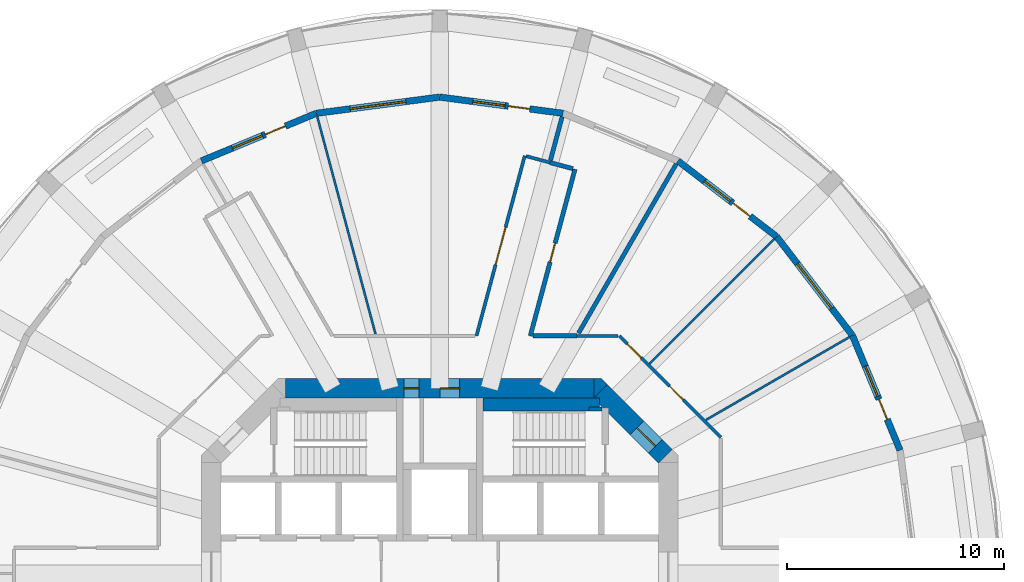
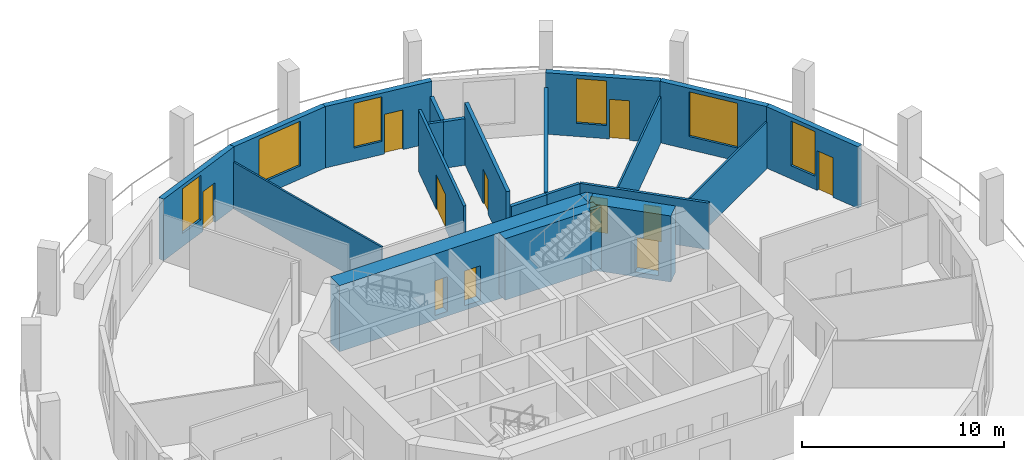
# One storey, part 6 of 9: 23 walls, 11 doors, 6 windows, 17 openings.
"""IFC4 building model written with IfcOpenShell, lengths in metres."""

from ifc_helpers import new_model, si_unit, direction, frame, frame_2d, origin, place, context, subcontext, project, spatial, polyline, rectangle, outline, extrude, material, layer, layer_set, type_object, element, fill, save


model = new_model("IFC4")

# Units and contexts
model_context = context("Model", 3, precision=1e-05, world=origin(), true_north=direction((0.0, 1.0)))
body_context = subcontext(model_context, "Body", "Model", "MODEL_VIEW")
ifc_project = project(units=[si_unit("LENGTHUNIT", "METRE"), si_unit("AREAUNIT", "SQUARE_METRE"), si_unit("VOLUMEUNIT", "CUBIC_METRE"), si_unit("PLANEANGLEUNIT", "RADIAN"), si_unit("MASSUNIT", "GRAM", prefix="KILO")], contexts=[model_context])

# Site, building, storey
site_placement = place(None, origin())
site = spatial("IfcSite", under=ifc_project, at=site_placement, CompositionType="ELEMENT")
building_placement = place(site_placement, origin())
building = spatial("IfcBuilding", under=site, at=building_placement, Name="Torre Triforio", CompositionType="ELEMENT")
storey_placement = place(building_placement, frame((0.0, 0.0, 106.60009765625)))
storey = spatial("IfcBuildingStorey", under=building, at=storey_placement, Name="L23", CompositionType="ELEMENT", Elevation=106.60009765625)

# Wall, openings, doors
ifc_material_1 = material(Name="Concrete C60", Category="concrete")
ifc_layer_1 = layer(ifc_material_1, 0.89990234375)
ifc_layer_set_1 = layer_set([ifc_layer_1], Name="Concrete C60")
wall_type_1 = type_object("IfcWallType", Name="Core wall 900 mm C60 EI 120", PredefinedType="SHEAR", material=ifc_layer_set_1)
wall_1_placement = place(storey_placement, frame((-7.1298828125, 8.550048828125, -0.280029296875), z_axis=(0.0, 0.0, 1.0), x_axis=(1.0, 0.0, 0.0)))
wall_1 = element("IfcWall", 1, at=wall_1_placement, inside=storey, type_object=wall_type_1, Name="Core wall", PredefinedType="SHEAR", context=body_context, shape_type="SweptSolid", body=[
    extrude(rectangle(XDim=14.259765625, YDim=0.89990234375, at=frame_2d((7.1298828125, 0.0))), origin(), (0.0, 0.0, 1.0), 4.0),
])
opening_1_placement = place(wall_1_placement, frame((5.47998046875, 0.0, 0.280029296875)))
opening_1 = element("IfcOpeningElement", 2, at=opening_1_placement, cuts=wall_1, Name="Opening RISER-N", PredefinedType="OPENING", context=body_context, shape_type="SweptSolid", body=[
    extrude(rectangle(XDim=0.699951171875, YDim=2.10009765625, at=frame_2d((0.35009765625, 1.050048828125))), frame((0.0, 0.4599609375, 0.0), z_axis=(0.0, -1.0, 0.0), x_axis=(1.0, 0.0, 0.0)), (0.0, 0.0, 1.0), 0.919921875),
])
opening_2_placement = place(wall_1_placement, frame((7.155029296875, 0.0, 0.280029296875)))
opening_2 = element("IfcOpeningElement", 3, at=opening_2_placement, cuts=wall_1, Name="Opening NE-01", PredefinedType="OPENING", context=body_context, shape_type="SweptSolid", body=[
    extrude(rectangle(XDim=0.89990234375, YDim=2.10009765625, at=frame_2d((0.449951171875, 1.050048828125))), frame((0.0, 0.4599609375, 0.0), z_axis=(0.0, -1.0, 0.0), x_axis=(1.0, 0.0, 0.0)), (0.0, 0.0, 1.0), 0.919921875),
])
ifc_material_2 = material(Name="Hollow metal fire door leaf")
door_type_1 = type_object("IfcDoorType", Name="Riser door 700 x 2100 EI 60", OperationType="NOTDEFINED", PredefinedType="DOOR", material=ifc_material_2)
door_1_placement = place(opening_1_placement, origin())
door_1 = element("IfcDoor", 4, at=door_1_placement, inside=storey, type_object=door_type_1, Name="Core door RISER-N", OperationType="SINGLE_SWING_LEFT", OverallHeight=2.10009765625, OverallWidth=0.699951171875, PredefinedType="DOOR", context=body_context, shape_type="SweptSolid", body=[
    extrude(rectangle(XDim=0.699951171875, YDim=2.10009765625, at=frame_2d((0.35009765625, 1.050048828125))), frame((0.0, 0.02490234375, 0.0), z_axis=(0.0, -1.0, 0.0), x_axis=(1.0, 0.0, 0.0)), (0.0, 0.0, 1.0), 0.050048828125),
])
fill(opening_1, door_1)
door_type_2 = type_object("IfcDoorType", Name="Room door 900 x 2100 EI 60", OperationType="NOTDEFINED", PredefinedType="DOOR", material=ifc_material_2)
door_2_placement = place(opening_2_placement, origin())
door_2 = element("IfcDoor", 5, at=door_2_placement, inside=storey, type_object=door_type_2, Name="Core door NE-01", OperationType="SINGLE_SWING_RIGHT", OverallHeight=2.10009765625, OverallWidth=0.89990234375, PredefinedType="DOOR", context=body_context, shape_type="SweptSolid", body=[
    extrude(rectangle(XDim=0.89990234375, YDim=2.10009765625, at=frame_2d((0.449951171875, 1.050048828125))), frame((0.0, 0.02490234375, 0.0), z_axis=(0.0, -1.0, 0.0), x_axis=(1.0, 0.0, 0.0)), (0.0, 0.0, 1.0), 0.050048828125),
])
fill(opening_2, door_2)

# Wall, opening, door
wall_2_placement = place(storey_placement, frame((7.418212890625, 8.418212890625, -0.280029296875), z_axis=(0.0, 0.0, 1.0), x_axis=(0.707106781187, -0.707106781187, 0.0)))
wall_2 = element("IfcWall", 6, at=wall_2_placement, inside=storey, type_object=wall_type_1, Name="Core wall", PredefinedType="SHEAR", context=body_context, shape_type="SweptSolid", body=[
    extrude(rectangle(XDim=4.24267578125, YDim=0.89990234375, at=frame_2d((2.121337890625, 0.0))), origin(), (0.0, 0.0, 1.0), 4.0),
])
opening_3_placement = place(wall_2_placement, frame((2.392578125, 0.0, 0.280029296875)))
opening_3 = element("IfcOpeningElement", 7, at=opening_3_placement, cuts=wall_2, Name="Opening ST2-EXIT", PredefinedType="OPENING", context=body_context, shape_type="SweptSolid", body=[
    extrude(rectangle(XDim=1.199951171875, YDim=2.10009765625, at=frame_2d((0.60009765625, 1.050048828125))), frame((0.0, 0.4599609375, 0.0), z_axis=(0.0, -1.0, 0.0), x_axis=(1.0, 0.0, 0.0)), (0.0, 0.0, 1.0), 0.919921875),
])
door_type_3 = type_object("IfcDoorType", Name="Stair lobby door 1200 x 2100 EI 60", OperationType="NOTDEFINED", PredefinedType="DOOR", material=ifc_material_2)
door_3_placement = place(opening_3_placement, origin())
door_3 = element("IfcDoor", 8, at=door_3_placement, inside=storey, type_object=door_type_3, Name="Core door ST2-EXIT", OperationType="SINGLE_SWING_RIGHT", OverallHeight=2.10009765625, OverallWidth=1.199951171875, PredefinedType="DOOR", context=body_context, shape_type="SweptSolid", body=[
    extrude(rectangle(XDim=1.199951171875, YDim=2.10009765625, at=frame_2d((0.60009765625, 1.050048828125))), frame((0.0, 0.02490234375, 0.0), z_axis=(0.0, -1.0, 0.0), x_axis=(1.0, 0.0, 0.0)), (0.0, 0.0, 1.0), 0.050048828125),
])
fill(opening_3, door_3)

# Wall
wall_3_placement = place(storey_placement, frame((0.0, 0.0, -0.280029296875)))
element("IfcWall", 9, at=wall_3_placement, inside=storey, type_object=wall_type_1, Name="Core wall", PredefinedType="SHEAR", context=body_context, shape_type="SweptSolid", body=[
    extrude(outline(polyline([(7.472900390625, 9.0), (7.736328125, 8.736328125), (7.1298828125, 8.1298828125), (7.1298828125, 9.0), (7.472900390625, 9.0)])), origin(), (0.0, 0.0, 1.0), 4.0),
])

# Wall, opening, door
ifc_material_3 = material(Name="Plasterboard on metal studs")
ifc_layer_2 = layer(ifc_material_3, 0.14990234375)
ifc_layer_set_2 = layer_set([ifc_layer_2], Name="Plasterboard on metal studs")
wall_type_2 = type_object("IfcWallType", Name="Corridor and tenancy wall 150 mm EI 60", PredefinedType="PARTITIONING", material=ifc_layer_set_2)
wall_4_placement = place(storey_placement, frame((1.698486328125, 10.97509765625, 0.0), z_axis=(0.0, 0.0, 1.0), x_axis=(0.258804606039, 0.965929695109, 0.0)))
wall_4 = element("IfcWall", 10, at=wall_4_placement, inside=storey, type_object=wall_type_2, Name="Partition 13", PredefinedType="PARTITIONING", context=body_context, shape_type="SweptSolid", body=[
    extrude(rectangle(XDim=8.60791015625, YDim=0.14990234375, at=frame_2d((4.303955078125, 0.0))), origin(), (0.0, 0.0, 1.0), 3.719970703125),
])
opening_4_placement = place(wall_4_placement, frame((3.404052734375, 0.0, 0.0)))
opening_4 = element("IfcOpeningElement", 11, at=opening_4_placement, cuts=wall_4, Name="Opening N7-13", PredefinedType="OPENING", context=body_context, shape_type="SweptSolid", body=[
    extrude(rectangle(XDim=1.800048828125, YDim=2.10009765625, at=frame_2d((0.89990234375, 1.050048828125))), frame((0.0, 0.0849609375, 0.0), z_axis=(0.0, -1.0, 0.0), x_axis=(1.0, 0.0, 0.0)), (0.0, 0.0, 1.0), 0.169921875),
])
ifc_material_4 = material(Name="Timber", Category="wood")
door_type_4 = type_object("IfcDoorType", Name="Door 1800 x 2100 double leaf EI 30", OperationType="DOUBLE_DOOR_SINGLE_SWING", PredefinedType="DOOR", material=ifc_material_4)
door_4_placement = place(opening_4_placement, origin())
door_4 = element("IfcDoor", 12, at=door_4_placement, inside=storey, type_object=door_type_4, Name="Door N7-13", OperationType="DOUBLE_DOOR_SINGLE_SWING", OverallHeight=2.10009765625, OverallWidth=1.800048828125, PredefinedType="DOOR", context=body_context, shape_type="SweptSolid", body=[
    extrude(rectangle(XDim=1.800048828125, YDim=2.10009765625, at=frame_2d((0.89990234375, 1.050048828125))), frame((0.0, 0.02490234375, 0.0), z_axis=(0.0, -1.0, 0.0), x_axis=(1.0, 0.0, 0.0)), (0.0, 0.0, 1.0), 0.050048828125),
])
fill(opening_4, door_4)

# Walls
wall_5_placement = place(storey_placement, frame((3.998779296875, 19.2705078125, 0.0), z_axis=(0.0, 0.0, 1.0), x_axis=(0.965906393436, -0.258891558609, 0.0)))
element("IfcWall", 13, at=wall_5_placement, inside=storey, type_object=wall_type_2, Name="Partition 14", PredefinedType="PARTITIONING", context=body_context, shape_type="SweptSolid", body=[
    extrude(rectangle(XDim=1.125, YDim=0.14990234375, at=frame_2d((0.5625, 0.0))), origin(), (0.0, 0.0, 1.0), 2.81982421875),
])
wall_6_placement = place(storey_placement, frame((6.33642578125, 10.97509765625, 0.0), z_axis=(0.0, 0.0, 1.0), x_axis=(1.0, 0.0, 0.0)))
element("IfcWall", 14, at=wall_6_placement, inside=storey, type_object=wall_type_2, Name="Partition 18", PredefinedType="PARTITIONING", context=body_context, shape_type="SweptSolid", body=[
    extrude(rectangle(XDim=1.90185546875, YDim=0.14990234375, at=frame_2d((0.950927734375, 0.0))), origin(), (0.0, 0.0, 1.0), 2.81982421875),
])

# Wall, openings, doors
wall_7_placement = place(storey_placement, frame((8.291015625, 10.97509765625, 0.0), z_axis=(0.0, 0.0, 1.0), x_axis=(0.707106781187, -0.707106781187, 0.0)))
wall_7 = element("IfcWall", 15, at=wall_7_placement, inside=storey, type_object=wall_type_2, Name="Partition 19", PredefinedType="PARTITIONING", context=body_context, shape_type="SweptSolid", body=[
    extrude(rectangle(XDim=6.624267578125, YDim=0.14990234375, at=frame_2d((3.31201171875, 0.0))), origin(), (0.0, 0.0, 1.0), 2.81982421875),
])
opening_5_placement = place(wall_7_placement, frame((3.27392578125, 0.0, 0.0)))
opening_5 = element("IfcOpeningElement", 16, at=opening_5_placement, cuts=wall_7, Name="Opening N7-10", PredefinedType="OPENING", context=body_context, shape_type="SweptSolid", body=[
    extrude(rectangle(XDim=0.89990234375, YDim=2.10009765625, at=frame_2d((0.449951171875, 1.050048828125))), frame((0.0, 0.0849609375, 0.0), z_axis=(0.0, -1.0, 0.0), x_axis=(1.0, 0.0, 0.0)), (0.0, 0.0, 1.0), 0.169921875),
])
opening_6_placement = place(wall_7_placement, frame((0.52392578125, 0.0, 0.0)))
opening_6 = element("IfcOpeningElement", 17, at=opening_6_placement, cuts=wall_7, Name="Opening N7-11", PredefinedType="OPENING", context=body_context, shape_type="SweptSolid", body=[
    extrude(rectangle(XDim=0.89990234375, YDim=2.10009765625, at=frame_2d((0.449951171875, 1.050048828125))), frame((0.0, 0.0849609375, 0.0), z_axis=(0.0, -1.0, 0.0), x_axis=(1.0, 0.0, 0.0)), (0.0, 0.0, 1.0), 0.169921875),
])
door_type_5 = type_object("IfcDoorType", Name="Door 900 x 2100 single leaf EI 30", OperationType="NOTDEFINED", PredefinedType="DOOR", material=ifc_material_4)
door_5_placement = place(opening_5_placement, origin())
door_5 = element("IfcDoor", 18, at=door_5_placement, inside=storey, type_object=door_type_5, Name="Door N7-10", OperationType="SINGLE_SWING_RIGHT", OverallHeight=2.10009765625, OverallWidth=0.89990234375, PredefinedType="DOOR", context=body_context, shape_type="SweptSolid", body=[
    extrude(rectangle(XDim=0.89990234375, YDim=2.10009765625, at=frame_2d((0.449951171875, 1.050048828125))), frame((0.0, 0.02490234375, 0.0), z_axis=(0.0, -1.0, 0.0), x_axis=(1.0, 0.0, 0.0)), (0.0, 0.0, 1.0), 0.050048828125),
])
fill(opening_5, door_5)
door_6_placement = place(opening_6_placement, origin())
door_6 = element("IfcDoor", 19, at=door_6_placement, inside=storey, type_object=door_type_5, Name="Door N7-11", OperationType="SINGLE_SWING_LEFT", OverallHeight=2.10009765625, OverallWidth=0.89990234375, PredefinedType="DOOR", context=body_context, shape_type="SweptSolid", body=[
    extrude(rectangle(XDim=0.89990234375, YDim=2.10009765625, at=frame_2d((0.449951171875, 1.050048828125))), frame((0.0, 0.02490234375, 0.0), z_axis=(0.0, -1.0, 0.0), x_axis=(1.0, 0.0, 0.0)), (0.0, 0.0, 1.0), 0.050048828125),
])
fill(opening_6, door_6)

# Walls
ifc_layer_3 = layer(ifc_material_3, 0.10009765625)
ifc_layer_set_3 = layer_set([ifc_layer_3], Name="Plasterboard on metal studs")
wall_type_3 = type_object("IfcWallType", Name="Partition 100 mm board on metal studs", PredefinedType="PARTITIONING", material=ifc_layer_set_3)
wall_8_placement = place(storey_placement, frame((12.294189453125, 7.097900390625, 0.0), z_axis=(0.0, 0.0, 1.0), x_axis=(0.866010520791, 0.500025777215, 0.0)))
element("IfcWall", 20, at=wall_8_placement, inside=storey, type_object=wall_type_3, Name="Partition 32", PredefinedType="PARTITIONING", context=body_context, shape_type="SweptSolid", body=[
    extrude(rectangle(XDim=7.640625, YDim=0.10009765625, at=frame_2d((3.8203125, 0.0))), origin(), (0.0, 0.0, 1.0), 2.81982421875),
])
wall_9_placement = place(storey_placement, frame((9.68603515625, 9.68603515625, 0.0), z_axis=(0.0, 0.0, 1.0), x_axis=(0.707106781187, 0.707106781187, 0.0)))
element("IfcWall", 21, at=wall_9_placement, inside=storey, type_object=wall_type_3, Name="Partition 33", PredefinedType="PARTITIONING", context=body_context, shape_type="SweptSolid", body=[
    extrude(rectangle(XDim=8.138671875, YDim=0.10009765625, at=frame_2d((4.0693359375, 0.0))), origin(), (0.0, 0.0, 1.0), 2.81982421875),
])
wall_10_placement = place(storey_placement, frame((-2.964599609375, 11.064208984375, 0.0), z_axis=(0.0, 0.0, 1.0), x_axis=(-0.258834819477, 0.96592159942, 0.0)))
element("IfcWall", 22, at=wall_10_placement, inside=storey, type_object=wall_type_3, Name="Partition 36", PredefinedType="PARTITIONING", context=body_context, shape_type="SweptSolid", body=[
    extrude(rectangle(XDim=10.382080078125, YDim=0.10009765625, at=frame_2d((5.19091796875, 0.0))), origin(), (0.0, 0.0, 1.0), 2.81982421875),
])
ifc_material_5 = material(Name="Masonry block", Category="masonry")
ifc_layer_4 = layer(ifc_material_5, 0.199951171875)
ifc_layer_set_4 = layer_set([ifc_layer_4], Name="Masonry block")
wall_type_4 = type_object("IfcWallType", Name="Plant room wall 200 mm block EI 120", PredefinedType="PARTITIONING", material=ifc_layer_set_4)
wall_11_placement = place(storey_placement, frame((5.08544921875, 18.979248046875, 0.0), z_axis=(0.0, 0.0, 1.0), x_axis=(0.965932200741, -0.258795254151, 0.0)))
element("IfcWall", 23, at=wall_11_placement, inside=storey, type_object=wall_type_4, Name="Partition 15", PredefinedType="PARTITIONING", context=body_context, shape_type="SweptSolid", body=[
    extrude(rectangle(XDim=1.099853515625, YDim=0.199951171875, at=frame_2d((0.5498046875, 0.0))), origin(), (0.0, 0.0, 1.0), 2.81982421875),
])

# Wall, opening, door
wall_12_placement = place(storey_placement, frame((6.24462890625, 18.668701171875, 0.0), z_axis=(0.0, 0.0, 1.0), x_axis=(-0.258822393938, -0.965924928965, 0.0)))
wall_12 = element("IfcWall", 24, at=wall_12_placement, inside=storey, type_object=wall_type_4, Name="Partition 16", PredefinedType="PARTITIONING", context=body_context, shape_type="SweptSolid", body=[
    extrude(rectangle(XDim=7.965087890625, YDim=0.199951171875, at=frame_2d((3.982421875, 0.0))), origin(), (0.0, 0.0, 1.0), 3.719970703125),
])
opening_7_placement = place(wall_12_placement, frame((3.532470703125, 0.0, 0.0)))
opening_7 = element("IfcOpeningElement", 25, at=opening_7_placement, cuts=wall_12, Name="Opening N7-12", PredefinedType="OPENING", context=body_context, shape_type="SweptSolid", body=[
    extrude(rectangle(XDim=0.89990234375, YDim=2.10009765625, at=frame_2d((0.449951171875, 1.050048828125))), frame((0.0, 0.10986328125, 0.0), z_axis=(0.0, -1.0, 0.0), x_axis=(1.0, 0.0, 0.0)), (0.0, 0.0, 1.0), 0.219970703125),
])
door_type_6 = type_object("IfcDoorType", Name="Door 900 x 2100 single leaf EI 60", OperationType="NOTDEFINED", PredefinedType="DOOR", material=ifc_material_2)
door_7_placement = place(opening_7_placement, origin())
door_7 = element("IfcDoor", 26, at=door_7_placement, inside=storey, type_object=door_type_6, Name="Door N7-12", OperationType="SINGLE_SWING_LEFT", OverallHeight=2.10009765625, OverallWidth=0.89990234375, PredefinedType="DOOR", context=body_context, shape_type="SweptSolid", body=[
    extrude(rectangle(XDim=0.89990234375, YDim=2.10009765625, at=frame_2d((0.449951171875, 1.050048828125))), frame((0.0, 0.02490234375, 0.0), z_axis=(0.0, -1.0, 0.0), x_axis=(1.0, 0.0, 0.0)), (0.0, 0.0, 1.0), 0.050048828125),
])
fill(opening_7, door_7)

# Walls
wall_13_placement = place(storey_placement, frame((4.31298828125, 10.97509765625, 0.0), z_axis=(0.0, 0.0, 1.0), x_axis=(1.0, 0.0, 0.0)))
element("IfcWall", 27, at=wall_13_placement, inside=storey, type_object=wall_type_4, Name="Partition 17", PredefinedType="PARTITIONING", context=body_context, shape_type="SweptSolid", body=[
    extrude(rectangle(XDim=2.0234375, YDim=0.199951171875, at=frame_2d((1.01171875, 0.0))), origin(), (0.0, 0.0, 1.0), 2.81982421875),
])
wall_14_placement = place(storey_placement, frame((6.408935546875, 11.1005859375, 0.0), z_axis=(0.0, 0.0, 1.0), x_axis=(0.500008327793, 0.866020595677, 0.0)))
element("IfcWall", 28, at=wall_14_placement, inside=storey, type_object=wall_type_4, Name="Partition 34", PredefinedType="PARTITIONING", context=body_context, shape_type="SweptSolid", body=[
    extrude(rectangle(XDim=9.018798828125, YDim=0.199951171875, at=frame_2d((4.50927734375, 0.0))), origin(), (0.0, 0.0, 1.0), 2.81982421875),
])
wall_15_placement = place(storey_placement, frame((5.111328125, 19.07568359375, 0.0), z_axis=(0.0, 0.0, 1.0), x_axis=(0.258870505712, 0.965912035991, 0.0)))
element("IfcWall", 29, at=wall_15_placement, inside=storey, type_object=wall_type_4, Name="Partition 35", PredefinedType="PARTITIONING", context=body_context, shape_type="SweptSolid", body=[
    extrude(rectangle(XDim=2.088134765625, YDim=0.199951171875, at=frame_2d((1.0439453125, 0.0))), origin(), (0.0, 0.0, 1.0), 2.81982421875),
])
ifc_layer_5 = layer(ifc_material_1, 0.199951171875)
ifc_layer_set_5 = layer_set([ifc_layer_5], Name="Concrete C60")
wall_type_5 = type_object("IfcWallType", Name="Stair wall 200 mm C60 EI 120", PredefinedType="SHEAR", material=ifc_layer_set_5)
wall_16_placement = place(storey_placement, frame((6.89990234375, 7.60009765625, 0.0), z_axis=(0.0, 0.0, 1.0), x_axis=(1.0, 0.0, 0.0)))
element("IfcWall", 30, at=wall_16_placement, inside=storey, type_object=wall_type_5, Name="Stair wall", PredefinedType="SHEAR", context=body_context, shape_type="SweptSolid", body=[
    extrude(rectangle(XDim=0.60009765625, YDim=0.199951171875, at=frame_2d((0.300048828125, 0.0))), origin(), (0.0, 0.0, 1.0), 3.719970703125),
])
ifc_layer_6 = layer(ifc_material_1, 0.60009765625)
ifc_layer_set_6 = layer_set([ifc_layer_6], Name="Concrete C60")
wall_type_6 = type_object("IfcWallType", Name="Stair wall 600 mm C60 EI 120", PredefinedType="SHEAR", material=ifc_layer_set_6)
wall_17_placement = place(storey_placement, frame((2.0, 7.800048828125, 0.0), z_axis=(0.0, 0.0, 1.0), x_axis=(1.0, 0.0, 0.0)))
element("IfcWall", 31, at=wall_17_placement, inside=storey, type_object=wall_type_6, Name="Stair wall", PredefinedType="SHEAR", context=body_context, shape_type="SweptSolid", body=[
    extrude(rectangle(XDim=5.3701171875, YDim=0.60009765625, at=frame_2d((2.68505859375, 0.0))), origin(), (0.0, 0.0, 1.0), 3.719970703125),
])

# Wall, openings, door, window
ifc_material_6 = material(Name="Limestone cladding", Category="masonry")
ifc_layer_7 = layer(ifc_material_6, 0.10009765625)
ifc_material_7 = material(Name="Concrete C40", Category="concrete")
ifc_layer_8 = layer(ifc_material_7, 0.199951171875)
ifc_layer_set_7 = layer_set([ifc_layer_7, ifc_layer_8], Name="Limestone cladding / Concrete C40")
wall_type_7 = type_object("IfcWallType", Name="Stone-faced composite wall 300", PredefinedType="STANDARD", material=ifc_layer_set_7)
wall_18_placement = place(storey_placement, frame((21.25048828125, 5.694091796875, 0.0), z_axis=(0.0, 0.0, 1.0), x_axis=(-0.382715966503, 0.923866055759, 0.0)))
wall_18 = element("IfcWall", 32, at=wall_18_placement, inside=storey, type_object=wall_type_7, Name="External wall L23 bay 02", PredefinedType="STANDARD", context=body_context, shape_type="SweptSolid", body=[
    extrude(rectangle(XDim=5.7431640625, YDim=0.300048828125, at=frame_2d((2.87158203125, 0.0))), origin(), (0.0, 0.0, 1.0), 3.719970703125),
])
opening_8_placement = place(wall_18_placement, frame((1.546630859375, 0.0, 0.0)))
opening_8 = element("IfcOpeningElement", 33, at=opening_8_placement, cuts=wall_18, Name="Opening N7-D02", PredefinedType="OPENING", context=body_context, shape_type="SweptSolid", body=[
    extrude(rectangle(XDim=1.0, YDim=2.39990234375, at=frame_2d((0.5, 1.199951171875))), frame((0.0, 0.159912109375, 0.0), z_axis=(0.0, -1.0, 0.0), x_axis=(1.0, 0.0, 0.0)), (0.0, 0.0, 1.0), 0.320068359375),
])
opening_9_placement = place(wall_18_placement, frame((2.696533203125, 0.0, 0.800048828125)))
opening_9 = element("IfcOpeningElement", 34, at=opening_9_placement, cuts=wall_18, Name="Opening N7-W02A", PredefinedType="OPENING", context=body_context, shape_type="SweptSolid", body=[
    extrude(rectangle(XDim=1.5, YDim=2.699951171875, at=frame_2d((0.75, 1.35009765625))), frame((0.0, 0.159912109375, 0.0), z_axis=(0.0, -1.0, 0.0), x_axis=(1.0, 0.0, 0.0)), (0.0, 0.0, 1.0), 0.320068359375),
])
ifc_material_8 = material(Name="Aluminium frame with clear double glazing", Category="aluminium")
door_type_7 = type_object("IfcDoorType", Name="Loggia door 1000 x 2400", OperationType="NOTDEFINED", PredefinedType="DOOR", material=ifc_material_8)
door_8_placement = place(opening_8_placement, origin())
door_8 = element("IfcDoor", 35, at=door_8_placement, inside=storey, type_object=door_type_7, Name="Loggia door L23 bay 02", OperationType="SINGLE_SWING_LEFT", OverallHeight=2.39990234375, OverallWidth=1.0, PredefinedType="DOOR", context=body_context, shape_type="SweptSolid", body=[
    extrude(rectangle(XDim=1.0, YDim=2.39990234375, at=frame_2d((0.5, 1.199951171875))), frame((0.0, 0.02490234375, 0.0), z_axis=(0.0, -1.0, 0.0), x_axis=(1.0, 0.0, 0.0)), (0.0, 0.0, 1.0), 0.050048828125),
])
fill(opening_8, door_8)
window_type_1 = type_object("IfcWindowType", Name="Side window 1500 x 2700", PartitioningType="SINGLE_PANEL", PredefinedType="WINDOW", material=ifc_material_8)
window_1_placement = place(opening_9_placement, origin())
window_1 = element("IfcWindow", 36, at=window_1_placement, inside=storey, type_object=window_type_1, Name="Side window EWN12 L23 bay 02", OverallHeight=2.699951171875, OverallWidth=1.5, PartitioningType="SINGLE_PANEL", PredefinedType="WINDOW", context=body_context, shape_type="SweptSolid", body=[
    extrude(rectangle(XDim=1.5, YDim=2.699951171875, at=frame_2d((0.75, 1.35009765625))), frame((0.0, 0.030029296875, 0.0), z_axis=(0.0, -1.0, 0.0), x_axis=(1.0, 0.0, 0.0)), (0.0, 0.0, 1.0), 0.06005859375),
])
fill(opening_9, window_1)

# Wall, opening, window
wall_19_placement = place(storey_placement, frame((19.052490234375, 11.0, 0.0), z_axis=(0.0, 0.0, 1.0), x_axis=(-0.608744744291, 0.793366142647, 0.0)))
wall_19 = element("IfcWall", 37, at=wall_19_placement, inside=storey, type_object=wall_type_7, Name="External wall L23 bay 03", PredefinedType="STANDARD", context=body_context, shape_type="SweptSolid", body=[
    extrude(rectangle(XDim=5.7431640625, YDim=0.300048828125, at=frame_2d((2.87158203125, 0.0))), origin(), (0.0, 0.0, 1.0), 3.719970703125),
])
opening_10_placement = place(wall_19_placement, frame((1.571533203125, 0.0, 0.800048828125)))
opening_10 = element("IfcOpeningElement", 38, at=opening_10_placement, cuts=wall_19, Name="Opening N7-W03", PredefinedType="OPENING", context=body_context, shape_type="SweptSolid", body=[
    extrude(rectangle(XDim=2.60009765625, YDim=2.699951171875, at=frame_2d((1.300048828125, 1.35009765625))), frame((0.0, 0.159912109375, 0.0), z_axis=(0.0, -1.0, 0.0), x_axis=(1.0, 0.0, 0.0)), (0.0, 0.0, 1.0), 0.320068359375),
])
window_type_2 = type_object("IfcWindowType", Name="Punched window 2600 x 2700", PartitioningType="DOUBLE_PANEL_VERTICAL", PredefinedType="WINDOW", material=ifc_material_8)
window_2_placement = place(opening_10_placement, origin())
window_2 = element("IfcWindow", 39, at=window_2_placement, inside=storey, type_object=window_type_2, Name="Window EWN2 L23 bay 03", OverallHeight=2.699951171875, OverallWidth=2.60009765625, PartitioningType="SINGLE_PANEL", PredefinedType="WINDOW", context=body_context, shape_type="SweptSolid", body=[
    extrude(rectangle(XDim=2.60009765625, YDim=2.699951171875, at=frame_2d((1.300048828125, 1.35009765625))), frame((0.0, 0.030029296875, 0.0), z_axis=(0.0, -1.0, 0.0), x_axis=(1.0, 0.0, 0.0)), (0.0, 0.0, 1.0), 0.06005859375),
])
fill(opening_10, window_2)

# Wall, openings, door, window
wall_20_placement = place(storey_placement, frame((15.556396484375, 15.556396484375, 0.0), z_axis=(0.0, 0.0, 1.0), x_axis=(-0.793366142647, 0.608744744291, 0.0)))
wall_20 = element("IfcWall", 40, at=wall_20_placement, inside=storey, type_object=wall_type_7, Name="External wall L23 bay 04", PredefinedType="STANDARD", context=body_context, shape_type="SweptSolid", body=[
    extrude(rectangle(XDim=5.7431640625, YDim=0.300048828125, at=frame_2d((2.87158203125, 0.0))), origin(), (0.0, 0.0, 1.0), 3.719970703125),
])
opening_11_placement = place(wall_20_placement, frame((1.546630859375, 0.0, 0.0)))
opening_11 = element("IfcOpeningElement", 41, at=opening_11_placement, cuts=wall_20, Name="Opening N7-D04", PredefinedType="OPENING", context=body_context, shape_type="SweptSolid", body=[
    extrude(rectangle(XDim=1.0, YDim=2.39990234375, at=frame_2d((0.5, 1.199951171875))), frame((0.0, 0.159912109375, 0.0), z_axis=(0.0, -1.0, 0.0), x_axis=(1.0, 0.0, 0.0)), (0.0, 0.0, 1.0), 0.320068359375),
])
opening_12_placement = place(wall_20_placement, frame((2.696533203125, 0.0, 0.800048828125)))
opening_12 = element("IfcOpeningElement", 42, at=opening_12_placement, cuts=wall_20, Name="Opening N7-W04A", PredefinedType="OPENING", context=body_context, shape_type="SweptSolid", body=[
    extrude(rectangle(XDim=1.5, YDim=2.699951171875, at=frame_2d((0.75, 1.35009765625))), frame((0.0, 0.159912109375, 0.0), z_axis=(0.0, -1.0, 0.0), x_axis=(1.0, 0.0, 0.0)), (0.0, 0.0, 1.0), 0.320068359375),
])
door_9_placement = place(opening_11_placement, origin())
door_9 = element("IfcDoor", 43, at=door_9_placement, inside=storey, type_object=door_type_7, Name="Loggia door L23 bay 04", OperationType="SINGLE_SWING_LEFT", OverallHeight=2.39990234375, OverallWidth=1.0, PredefinedType="DOOR", context=body_context, shape_type="SweptSolid", body=[
    extrude(rectangle(XDim=1.0, YDim=2.39990234375, at=frame_2d((0.5, 1.199951171875))), frame((0.0, 0.02490234375, 0.0), z_axis=(0.0, -1.0, 0.0), x_axis=(1.0, 0.0, 0.0)), (0.0, 0.0, 1.0), 0.050048828125),
])
fill(opening_11, door_9)
window_3_placement = place(opening_12_placement, origin())
window_3 = element("IfcWindow", 44, at=window_3_placement, inside=storey, type_object=window_type_1, Name="Side window EWN12 L23 bay 04", OverallHeight=2.699951171875, OverallWidth=1.5, PartitioningType="SINGLE_PANEL", PredefinedType="WINDOW", context=body_context, shape_type="SweptSolid", body=[
    extrude(rectangle(XDim=1.5, YDim=2.699951171875, at=frame_2d((0.75, 1.35009765625))), frame((0.0, 0.030029296875, 0.0), z_axis=(0.0, -1.0, 0.0), x_axis=(1.0, 0.0, 0.0)), (0.0, 0.0, 1.0), 0.06005859375),
])
fill(opening_12, window_3)

wall_21_placement = place(storey_placement, frame((5.694091796875, 21.25048828125, 0.0), z_axis=(0.0, 0.0, 1.0), x_axis=(-0.991447783331, 0.130503995834, 0.0)))
wall_21 = element("IfcWall", 45, at=wall_21_placement, inside=storey, type_object=wall_type_7, Name="External wall L23 bay 06", PredefinedType="STANDARD", context=body_context, shape_type="SweptSolid", body=[
    extrude(rectangle(XDim=5.7431640625, YDim=0.300048828125, at=frame_2d((2.87158203125, 0.0))), origin(), (0.0, 0.0, 1.0), 3.719970703125),
])
opening_13_placement = place(wall_21_placement, frame((1.546630859375, 0.0, 0.0)))
opening_13 = element("IfcOpeningElement", 46, at=opening_13_placement, cuts=wall_21, Name="Opening N7-D06", PredefinedType="OPENING", context=body_context, shape_type="SweptSolid", body=[
    extrude(rectangle(XDim=1.0, YDim=2.39990234375, at=frame_2d((0.5, 1.199951171875))), frame((0.0, 0.159912109375, 0.0), z_axis=(0.0, -1.0, 0.0), x_axis=(1.0, 0.0, 0.0)), (0.0, 0.0, 1.0), 0.320068359375),
])
opening_14_placement = place(wall_21_placement, frame((2.696533203125, 0.0, 0.800048828125)))
opening_14 = element("IfcOpeningElement", 47, at=opening_14_placement, cuts=wall_21, Name="Opening N7-W06A", PredefinedType="OPENING", context=body_context, shape_type="SweptSolid", body=[
    extrude(rectangle(XDim=1.5, YDim=2.699951171875, at=frame_2d((0.75, 1.35009765625))), frame((0.0, 0.159912109375, 0.0), z_axis=(0.0, -1.0, 0.0), x_axis=(1.0, 0.0, 0.0)), (0.0, 0.0, 1.0), 0.320068359375),
])
door_10_placement = place(opening_13_placement, origin())
door_10 = element("IfcDoor", 48, at=door_10_placement, inside=storey, type_object=door_type_7, Name="Loggia door L23 bay 06", OperationType="SINGLE_SWING_LEFT", OverallHeight=2.39990234375, OverallWidth=1.0, PredefinedType="DOOR", context=body_context, shape_type="SweptSolid", body=[
    extrude(rectangle(XDim=1.0, YDim=2.39990234375, at=frame_2d((0.5, 1.199951171875))), frame((0.0, 0.02490234375, 0.0), z_axis=(0.0, -1.0, 0.0), x_axis=(1.0, 0.0, 0.0)), (0.0, 0.0, 1.0), 0.050048828125),
])
fill(opening_13, door_10)
window_4_placement = place(opening_14_placement, origin())
window_4 = element("IfcWindow", 49, at=window_4_placement, inside=storey, type_object=window_type_1, Name="Side window EWN12 L23 bay 06", OverallHeight=2.699951171875, OverallWidth=1.5, PartitioningType="SINGLE_PANEL", PredefinedType="WINDOW", context=body_context, shape_type="SweptSolid", body=[
    extrude(rectangle(XDim=1.5, YDim=2.699951171875, at=frame_2d((0.75, 1.35009765625))), frame((0.0, 0.030029296875, 0.0), z_axis=(0.0, -1.0, 0.0), x_axis=(1.0, 0.0, 0.0)), (0.0, 0.0, 1.0), 0.06005859375),
])
fill(opening_14, window_4)

# Wall, opening, window
wall_22_placement = place(storey_placement, frame((0.0, 22.0, 0.0), z_axis=(0.0, 0.0, 1.0), x_axis=(-0.991447783331, -0.130503995834, 0.0)))
wall_22 = element("IfcWall", 50, at=wall_22_placement, inside=storey, type_object=wall_type_7, Name="External wall L23 bay 07", PredefinedType="STANDARD", context=body_context, shape_type="SweptSolid", body=[
    extrude(rectangle(XDim=5.7431640625, YDim=0.300048828125, at=frame_2d((2.87158203125, 0.0))), origin(), (0.0, 0.0, 1.0), 3.719970703125),
])
opening_15_placement = place(wall_22_placement, frame((1.571533203125, 0.0, 0.800048828125)))
opening_15 = element("IfcOpeningElement", 51, at=opening_15_placement, cuts=wall_22, Name="Opening N7-W07", PredefinedType="OPENING", context=body_context, shape_type="SweptSolid", body=[
    extrude(rectangle(XDim=2.60009765625, YDim=2.699951171875, at=frame_2d((1.300048828125, 1.35009765625))), frame((0.0, 0.159912109375, 0.0), z_axis=(0.0, -1.0, 0.0), x_axis=(1.0, 0.0, 0.0)), (0.0, 0.0, 1.0), 0.320068359375),
])
window_5_placement = place(opening_15_placement, origin())
window_5 = element("IfcWindow", 52, at=window_5_placement, inside=storey, type_object=window_type_2, Name="Window EWN2 L23 bay 07", OverallHeight=2.699951171875, OverallWidth=2.60009765625, PartitioningType="SINGLE_PANEL", PredefinedType="WINDOW", context=body_context, shape_type="SweptSolid", body=[
    extrude(rectangle(XDim=2.60009765625, YDim=2.699951171875, at=frame_2d((1.300048828125, 1.35009765625))), frame((0.0, 0.030029296875, 0.0), z_axis=(0.0, -1.0, 0.0), x_axis=(1.0, 0.0, 0.0)), (0.0, 0.0, 1.0), 0.06005859375),
])
fill(opening_15, window_5)

# Wall, openings, door, window
wall_23_placement = place(storey_placement, frame((-5.694091796875, 21.25048828125, 0.0), z_axis=(0.0, 0.0, 1.0), x_axis=(-0.923866055759, -0.382715966503, 0.0)))
wall_23 = element("IfcWall", 53, at=wall_23_placement, inside=storey, type_object=wall_type_7, Name="External wall L23 bay 08", PredefinedType="STANDARD", context=body_context, shape_type="SweptSolid", body=[
    extrude(rectangle(XDim=5.7431640625, YDim=0.300048828125, at=frame_2d((2.87158203125, 0.0))), origin(), (0.0, 0.0, 1.0), 3.719970703125),
])
opening_16_placement = place(wall_23_placement, frame((1.546630859375, 0.0, 0.0)))
opening_16 = element("IfcOpeningElement", 54, at=opening_16_placement, cuts=wall_23, Name="Opening N7-D08", PredefinedType="OPENING", context=body_context, shape_type="SweptSolid", body=[
    extrude(rectangle(XDim=1.0, YDim=2.39990234375, at=frame_2d((0.5, 1.199951171875))), frame((0.0, 0.159912109375, 0.0), z_axis=(0.0, -1.0, 0.0), x_axis=(1.0, 0.0, 0.0)), (0.0, 0.0, 1.0), 0.320068359375),
])
opening_17_placement = place(wall_23_placement, frame((2.696533203125, 0.0, 0.800048828125)))
opening_17 = element("IfcOpeningElement", 55, at=opening_17_placement, cuts=wall_23, Name="Opening N7-W08A", PredefinedType="OPENING", context=body_context, shape_type="SweptSolid", body=[
    extrude(rectangle(XDim=1.5, YDim=2.699951171875, at=frame_2d((0.75, 1.35009765625))), frame((0.0, 0.159912109375, 0.0), z_axis=(0.0, -1.0, 0.0), x_axis=(1.0, 0.0, 0.0)), (0.0, 0.0, 1.0), 0.320068359375),
])
door_11_placement = place(opening_16_placement, origin())
door_11 = element("IfcDoor", 56, at=door_11_placement, inside=storey, type_object=door_type_7, Name="Loggia door L23 bay 08", OperationType="SINGLE_SWING_RIGHT", OverallHeight=2.39990234375, OverallWidth=1.0, PredefinedType="DOOR", context=body_context, shape_type="SweptSolid", body=[
    extrude(rectangle(XDim=1.0, YDim=2.39990234375, at=frame_2d((0.5, 1.199951171875))), frame((0.0, 0.02490234375, 0.0), z_axis=(0.0, -1.0, 0.0), x_axis=(1.0, 0.0, 0.0)), (0.0, 0.0, 1.0), 0.050048828125),
])
fill(opening_16, door_11)
window_6_placement = place(opening_17_placement, origin())
window_6 = element("IfcWindow", 57, at=window_6_placement, inside=storey, type_object=window_type_1, Name="Side window EWN12 L23 bay 08", OverallHeight=2.699951171875, OverallWidth=1.5, PartitioningType="SINGLE_PANEL", PredefinedType="WINDOW", context=body_context, shape_type="SweptSolid", body=[
    extrude(rectangle(XDim=1.5, YDim=2.699951171875, at=frame_2d((0.75, 1.35009765625))), frame((0.0, 0.030029296875, 0.0), z_axis=(0.0, -1.0, 0.0), x_axis=(1.0, 0.0, 0.0)), (0.0, 0.0, 1.0), 0.06005859375),
])
fill(opening_17, window_6)

save(model, "model.ifc")
